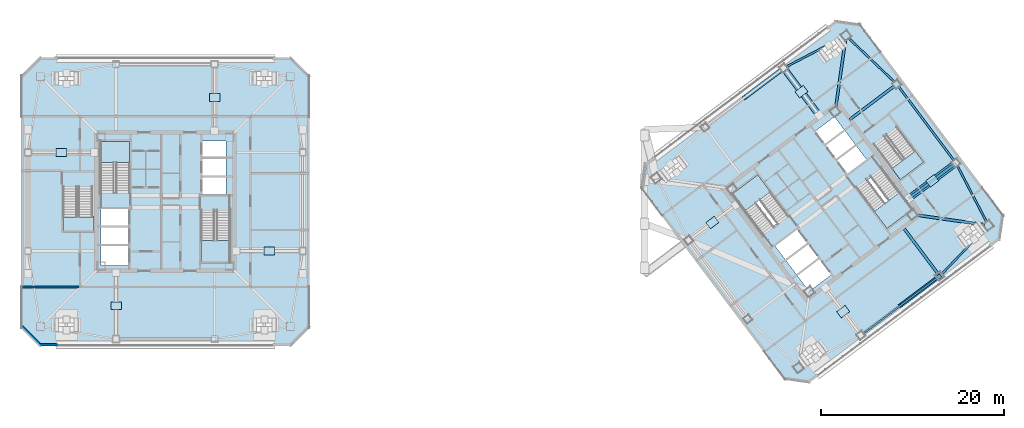
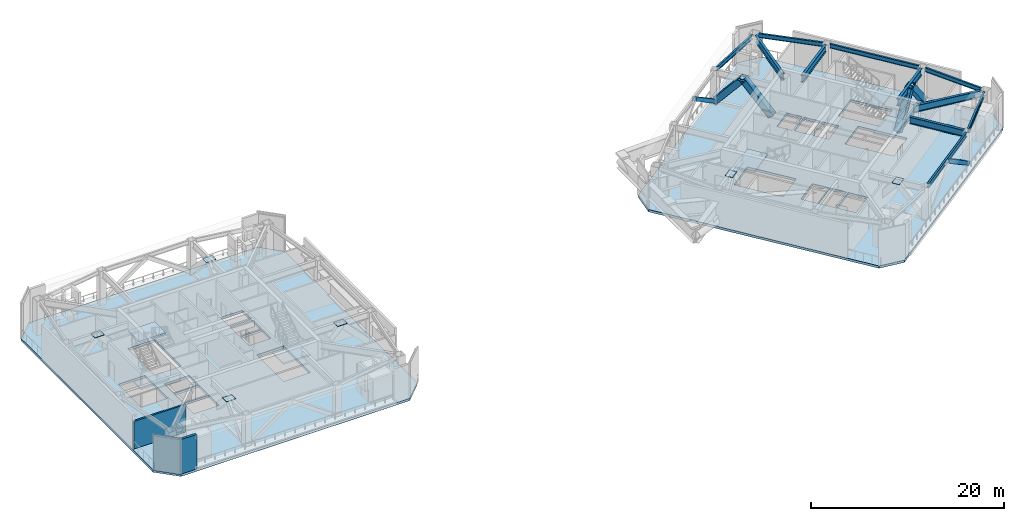
# One storey, part 4 of 15: 11 beams, 8 plates, 8 slabs, 7 members, 3 walls, 6 elements without a shape of their own.
"""IFC4 building model written with IfcOpenShell, lengths in metres."""

from ifc_helpers import new_model, si_unit, direction, frame, frame_2d, origin, origin_2d, place, context, subcontext, project, spatial, polyline, rectangle, hollow_rectangle, i_section, outline, extrude, material, layer, layer_set, material_profile, profile_set, type_object, element, aggregate, save


model = new_model("IFC4")

# Units and contexts
model_context = context("Model", 3, precision=1e-05, world=origin(), true_north=direction((0.0, 1.0)))
body_context = subcontext(model_context, "Body", "Model", "MODEL_VIEW")
ifc_project = project(units=[si_unit("LENGTHUNIT", "METRE"), si_unit("AREAUNIT", "SQUARE_METRE"), si_unit("VOLUMEUNIT", "CUBIC_METRE"), si_unit("PLANEANGLEUNIT", "RADIAN"), si_unit("MASSUNIT", "GRAM", prefix="KILO")], contexts=[model_context])

# Site, building, storey
site_placement = place(None, origin())
site = spatial("IfcSite", under=ifc_project, at=site_placement, CompositionType="ELEMENT")
building_placement = place(site_placement, origin())
building = spatial("IfcBuilding", under=site, at=building_placement, Name="Tashvorn Skyway Center", CompositionType="ELEMENT")
storey_placement = place(building_placement, frame((0.0, 0.0, 246.800048828125)))
storey = spatial("IfcBuildingStorey", under=building, at=storey_placement, Name="L67", CompositionType="ELEMENT", Elevation=246.800048828125)

# Beams
ifc_material_1 = material(Name="Steel ASTM A992 Grade 50", Category="steel")
ifc_material_profile_1 = material_profile(ifc_material_1, i_section(OverallWidth=0.2919921875, OverallDepth=0.85888671875, WebThickness=0.01708984375, FlangeThickness=0.031005859375, at=origin_2d()), Name="W33X169")
ifc_profile_set_1 = profile_set([ifc_material_profile_1], Name="Steel ASTM A992 Grade 50")
beam_type_1 = type_object("IfcBeamType", Name="BM-BEAM-W33X169", PredefinedType="BEAM", material=ifc_profile_set_1)
for number, where, z_axis, x_axis, name in (
    (1, (131.759521484375, 29.462890625, 3.950439453125), (-0.989948195795, 0.141430441004, 0.0), (-0.141430441004, -0.989948195795, 0.0), "Tower 2 L67 Primary Floor Girder MC-SE"),
    (2, (116.537109375, 49.759521484375, 3.950439453125), (-0.141430441004, -0.989948195795, 0.0), (0.989948195795, -0.141430441004, 0.0), "Tower 2 L67 Primary Floor Girder MC-NE"),
):
    element("IfcBeam", number, at=place(storey_placement, frame(where, z_axis=z_axis, x_axis=x_axis)), inside=storey, type_object=beam_type_1, Name=name, PredefinedType="BEAM", context=body_context, shape_type="SweptSolid", body=[
        extrude(i_section(OverallWidth=0.2919921875, OverallDepth=0.85888671875, WebThickness=0.01708984375, FlangeThickness=0.031005859375, at=origin_2d()), origin(), (0.0, 0.0, 1.0), 7.524658203125),
    ])
for number, where, z_axis, x_axis, name in (
    (3, (126.64794921875, 24.135986328125, 3.950439453125), (-0.599980788915, 0.800014407953, 0.0), (-0.800014407953, -0.599980788915, 0.0), "Tower 2 L67 Primary Floor Girder FC-S2"),
    (4, (128.343994140625, 36.008056640625, 3.950439453125), (-0.799980788524, -0.600025614447, 0.0), (0.600025614447, -0.799980788524, 0.0), "Tower 2 L67 Primary Floor Girder FC-E1"),
    (5, (121.864013671875, 44.64794921875, 3.950439453125), (-0.800014407953, -0.599980788915, 0.0), (0.599980788915, -0.800014407953, 0.0), "Tower 2 L67 Primary Floor Girder FC-E2"),
):
    element("IfcBeam", number, at=place(storey_placement, frame(where, z_axis=z_axis, x_axis=x_axis)), inside=storey, type_object=beam_type_1, Name=name, PredefinedType="BEAM", context=body_context, shape_type="SweptSolid", body=[
        extrude(i_section(OverallWidth=0.2919921875, OverallDepth=0.85888671875, WebThickness=0.01708984375, FlangeThickness=0.031005859375, at=origin_2d()), origin(), (0.0, 0.0, 1.0), 6.10009765625),
    ])
ifc_material_profile_2 = material_profile(ifc_material_1, i_section(OverallWidth=0.2109375, OverallDepth=0.5390625, WebThickness=0.01171875, FlangeThickness=0.018798828125, at=origin_2d()), Name="W21X73")
ifc_profile_set_2 = profile_set([ifc_material_profile_2], Name="Steel ASTM A992 Grade 50")
beam_type_2 = type_object("IfcBeamType", Name="BM-SPANDREL-W21X73", PredefinedType="SPANDREL", material=ifc_profile_set_2)
beam_1_placement = place(storey_placement, frame((118.52587890625, 17.58203125, 4.1103515625), z_axis=(0.800008736549, 0.599988351091, 0.0), x_axis=(-0.599988351091, 0.800008736549, 0.0)))
element("IfcBeam", 6, at=beam_1_placement, inside=storey, type_object=beam_type_2, Name="Tower 2 L67 Spandrel Beam 02", PredefinedType="SPANDREL", context=body_context, shape_type="SweptSolid", body=[
    extrude(i_section(OverallWidth=0.2109375, OverallDepth=0.5390625, WebThickness=0.01171875, FlangeThickness=0.018798828125, at=origin_2d()), origin(), (0.0, 0.0, 1.0), 10.06005859375),
])
beam_2_placement = place(storey_placement, frame((127.1259765625, 24.107177734375, 4.1103515625), z_axis=(0.692025461493, 0.721873091786, 0.0), x_axis=(-0.721873091786, 0.692025461493, 0.0)))
element("IfcBeam", 7, at=beam_2_placement, inside=storey, type_object=beam_type_2, Name="Tower 2 L67 Spandrel Beam 03", PredefinedType="SPANDREL", context=body_context, shape_type="SweptSolid", body=[
    extrude(i_section(OverallWidth=0.2109375, OverallDepth=0.5390625, WebThickness=0.01171875, FlangeThickness=0.018798828125, at=origin_2d()), origin(), (0.0, 0.0, 1.0), 6.88720703125),
])
beam_3_placement = place(storey_placement, frame((131.994384765625, 29.794677734375, 4.1103515625), z_axis=(-0.462223120187, 0.886763659136, 0.0), x_axis=(-0.886763659136, -0.462223120187, 0.0)))
element("IfcBeam", 8, at=beam_3_placement, inside=storey, type_object=beam_type_2, Name="Tower 2 L67 Spandrel Beam 04", PredefinedType="SPANDREL", context=body_context, shape_type="SweptSolid", body=[
    extrude(i_section(OverallWidth=0.2109375, OverallDepth=0.5390625, WebThickness=0.01171875, FlangeThickness=0.018798828125, at=origin_2d()), origin(), (0.0, 0.0, 1.0), 6.886962890625),
])
beam_4_placement = place(storey_placement, frame((128.41796875, 36.52587890625, 4.1103515625), z_axis=(-0.599988351091, 0.800008736549, 0.0), x_axis=(-0.800008736549, -0.599988351091, 0.0)))
element("IfcBeam", 9, at=beam_4_placement, inside=storey, type_object=beam_type_2, Name="Tower 2 L67 Spandrel Beam 05", PredefinedType="SPANDREL", context=body_context, shape_type="SweptSolid", body=[
    extrude(i_section(OverallWidth=0.2109375, OverallDepth=0.5390625, WebThickness=0.01171875, FlangeThickness=0.018798828125, at=origin_2d()), origin(), (0.0, 0.0, 1.0), 10.06005859375),
])
beam_5_placement = place(storey_placement, frame((121.892822265625, 45.1259765625, 4.1103515625), z_axis=(-0.721873091786, 0.692025461493, 0.0), x_axis=(-0.692025461493, -0.721873091786, 0.0)))
element("IfcBeam", 10, at=beam_5_placement, inside=storey, type_object=beam_type_2, Name="Tower 2 L67 Spandrel Beam 06", PredefinedType="SPANDREL", context=body_context, shape_type="SweptSolid", body=[
    extrude(i_section(OverallWidth=0.2109375, OverallDepth=0.5390625, WebThickness=0.01171875, FlangeThickness=0.018798828125, at=origin_2d()), origin(), (0.0, 0.0, 1.0), 6.88720703125),
])
beam_6_placement = place(storey_placement, frame((116.205322265625, 49.994384765625, 4.1103515625), z_axis=(-0.886763659136, -0.462223120187, 0.0), x_axis=(0.462223120187, -0.886763659136, 0.0)))
element("IfcBeam", 11, at=beam_6_placement, inside=storey, type_object=beam_type_2, Name="Tower 2 L67 Spandrel Beam 07", PredefinedType="SPANDREL", context=body_context, shape_type="SweptSolid", body=[
    extrude(i_section(OverallWidth=0.2109375, OverallDepth=0.5390625, WebThickness=0.01171875, FlangeThickness=0.018798828125, at=origin_2d()), origin(), (0.0, 0.0, 1.0), 6.886962890625),
])

# Members
ifc_material_2 = material(Name="Steel ASTM A572 Grade 50", Category="steel")
ifc_material_profile_3 = material_profile(ifc_material_2, hollow_rectangle(XDim=0.449951171875, YDim=0.449951171875, WallThickness=0.01611328125, at=origin_2d()), Name="HSS450x450x16")
ifc_profile_set_3 = profile_set([ifc_material_profile_3], Name="Steel ASTM A572 Grade 50")
member_type_1 = type_object("IfcMemberType", Name="MEM-BT-450", PredefinedType="BRACE", material=ifc_profile_set_3)
for number, where, z_axis, x_axis, name in (
    (12, (122.550048828125, 20.60009765625, 4.030029296875), (0.655390259384, 0.491533434998, -0.573461847191), (-0.599992766245, 0.800005425265, 0.0), "Tower 2 L67 Perimeter Belt Truss BS-2"),
    (13, (105.449951171875, 43.39990234375, 4.030029296875), (0.655390259384, 0.491533434998, -0.573461847191), (-0.599992766245, 0.800005425265, 0.0), "Tower 2 L67 Perimeter Belt Truss BN-2"),
):
    element("IfcMember", number, at=place(storey_placement, frame(where, z_axis=z_axis, x_axis=x_axis)), inside=storey, type_object=member_type_1, Name=name, PredefinedType="BRACE", context=body_context, shape_type="SweptSolid", body=[
        extrude(hollow_rectangle(XDim=0.449951171875, YDim=0.449951171875, WallThickness=0.01611328125, at=origin_2d()), origin(), (0.0, 0.0, 1.0), 6.591552734375),
    ])
ifc_material_profile_4 = material_profile(ifc_material_2, hollow_rectangle(XDim=0.35009765625, YDim=0.35009765625, WallThickness=0.01611328125, at=origin_2d()), Name="HSS350x350x16")
ifc_profile_set_4 = profile_set([ifc_material_profile_4], Name="Steel ASTM A572 Grade 50")
member_type_2 = type_object("IfcMemberType", Name="MEM-BT-CHD-350", PredefinedType="CHORD", material=ifc_profile_set_4)
member_placement = place(storey_placement, frame((123.464111328125, 32.347900390625, 0.25), z_axis=(0.799981886838, 0.600024150123, 0.0), x_axis=(-0.600024150123, 0.799981886838, 0.0)))
element("IfcMember", 14, at=member_placement, inside=storey, type_object=member_type_2, Name="Tower 2 L67 Outrigger Bottom Chord E1", PredefinedType="CHORD", context=body_context, shape_type="SweptSolid", body=[
    extrude(hollow_rectangle(XDim=0.35009765625, YDim=0.35009765625, WallThickness=0.01611328125, at=origin_2d()), origin(), (0.0, 0.0, 1.0), 6.469970703125),
])
ifc_material_profile_5 = material_profile(ifc_material_2, hollow_rectangle(XDim=0.699951171875, YDim=0.699951171875, WallThickness=0.028076171875, at=origin_2d()), Name="BOX700x700x28")
ifc_profile_set_5 = profile_set([ifc_material_profile_5], Name="Steel ASTM A572 Grade 50")
member_type_3 = type_object("IfcMemberType", Name="MEM-OB-700", PredefinedType="BRACE", material=ifc_profile_set_5)
for number, where, z_axis, x_axis, name in (
    (15, (113.652099609375, 41.464111328125, 0.25), (-0.390157450122, 0.520144506514, 0.759754471166), (-0.799963773767, -0.600048298606, 0.0), "Tower 2 L67 Outrigger Truss Diagonal N1-1"),
    (16, (111.7109375, 44.052001953125, 4.030029296875), (-0.390115848302, 0.520154464402, -0.759769016258), (-0.8, -0.6, 0.0), "Tower 2 L67 Outrigger Truss Diagonal N1-2"),
    (17, (123.464111328125, 32.347900390625, 0.25), (0.520144506514, 0.390157450122, 0.759754471166), (-0.600048298606, 0.799963773767, 0.0), "Tower 2 L67 Outrigger Truss Diagonal E1-1"),
    (18, (126.052001953125, 34.2890625, 4.030029296875), (0.520154464402, 0.390115848302, -0.759769016258), (-0.6, 0.8, 0.0), "Tower 2 L67 Outrigger Truss Diagonal E1-2"),
):
    element("IfcMember", number, at=place(storey_placement, frame(where, z_axis=z_axis, x_axis=x_axis)), inside=storey, type_object=member_type_3, Name=name, PredefinedType="BRACE", context=body_context, shape_type="SweptSolid", body=[
        extrude(hollow_rectangle(XDim=0.699951171875, YDim=0.699951171875, WallThickness=0.028076171875, at=origin_2d()), origin(), (0.0, 0.0, 1.0), 4.975341796875),
    ])

# Plates
ifc_layer_1 = layer(ifc_material_2, 0.0400390625)
ifc_layer_set_1 = layer_set([ifc_layer_1], Name="Steel ASTM A572 Grade 50")
plate_type = type_object("IfcPlateType", Name="PLT-GUSSET-40", PredefinedType="USERDEFINED", material=ifc_layer_set_1)
for number, where, z_axis, x_axis, name in (
    (19, (47.39990234375, 43.4150390625, 4.010009765625), (0.0, 0.0, 1.0), (1.0, 0.0, 0.0), "Tower 1 L67 Outrigger Node Gusset N1"),
    (20, (36.60009765625, 20.5849609375, 4.010009765625), (0.0, 0.0, 1.0), (1.0, 0.0, 0.0), "Tower 1 L67 Outrigger Node Gusset S1"),
    (21, (53.4150390625, 26.60009765625, 4.010009765625), (0.0, 0.0, 1.0), (1.0, 0.0, 0.0), "Tower 1 L67 Outrigger Node Gusset E1"),
    (22, (30.5849609375, 37.39990234375, 4.010009765625), (0.0, 0.0, 1.0), (1.0, 0.0, 0.0), "Tower 1 L67 Outrigger Node Gusset W1"),
    (23, (111.7109375, 44.052001953125, 4.010009765625), (0.0, 0.0, 1.0), (0.799999996291, 0.600000004945, 0.0), "Tower 2 L67 Outrigger Node Gusset N1"),
    (24, (116.2890625, 19.947998046875, 4.010009765625), (0.0, 0.0, 1.0), (0.799999996291, 0.600000004945, 0.0), "Tower 2 L67 Outrigger Node Gusset S1"),
    (25, (126.052001953125, 34.2890625, 4.010009765625), (0.0, 0.0, 1.0), (0.799999996291, 0.600000004945, 0.0), "Tower 2 L67 Outrigger Node Gusset E1"),
    (26, (101.947998046875, 29.7109375, 4.010009765625), (0.0, 0.0, 1.0), (0.799999996291, 0.600000004945, 0.0), "Tower 2 L67 Outrigger Node Gusset W1"),
):
    element("IfcPlate", number, at=place(storey_placement, frame(where, z_axis=z_axis, x_axis=x_axis)), inside=storey, type_object=plate_type, Name=name, ObjectType="GUSSET PLATE", PredefinedType="USERDEFINED", context=body_context, shape_type="SweptSolid", body=[
        extrude(rectangle(XDim=1.14990234375, YDim=0.85009765625, at=origin_2d()), origin(), (0.0, 0.0, 1.0), 0.0400390625),
    ])

# Slabs
ifc_material_3 = material(Name="Concrete C50/60", Category="concrete")
ifc_layer_2 = layer(ifc_material_3, 0.300048828125)
ifc_layer_set_2 = layer_set([ifc_layer_2], Name="Concrete C50/60")
slab_type_1 = type_object("IfcSlabType", Name="SLAB-FLR-300", PredefinedType="FLOOR", material=ifc_layer_set_2)
slab_1_placement = place(storey_placement, frame((0.0, 0.0, -0.300048828125)))
element("IfcSlab", 27, at=slab_1_placement, inside=storey, type_object=slab_type_1, Name="Tower 1 L67 Composite Floor Slab", PredefinedType="FLOOR", context=body_context, shape_type="SweptSolid", body=[
    extrude(outline(polyline([(28.300048828125, 16.199951171875), (55.699951171875, 16.199951171875), (57.800048828125, 18.300048828125), (57.800048828125, 45.699951171875), (55.699951171875, 47.800048828125), (28.300048828125, 47.800048828125), (26.199951171875, 45.699951171875), (26.199951171875, 18.300048828125), (28.300048828125, 16.199951171875)]), holes=[polyline([(38.10009765625, 33.080078125), (38.10009765625, 38.60009765625), (34.89990234375, 38.60009765625), (34.89990234375, 33.080078125), (38.10009765625, 33.080078125)]), polyline([(45.89990234375, 30.919921875), (45.89990234375, 25.39990234375), (49.10009765625, 25.39990234375), (49.10009765625, 30.919921875), (45.89990234375, 30.919921875)]), polyline([(30.800048828125, 33.52001953125), (30.800048828125, 28.800048828125), (34.0, 28.800048828125), (34.0, 33.52001953125), (30.800048828125, 33.52001953125)]), polyline([(34.949951171875, 29.35009765625), (37.949951171875, 29.35009765625), (37.949951171875, 31.199951171875), (34.949951171875, 31.199951171875), (34.949951171875, 29.35009765625)]), polyline([(34.949951171875, 27.35009765625), (37.949951171875, 27.35009765625), (37.949951171875, 29.199951171875), (34.949951171875, 29.199951171875), (34.949951171875, 27.35009765625)]), polyline([(34.949951171875, 25.0), (37.949951171875, 25.0), (37.949951171875, 27.14990234375), (34.949951171875, 27.14990234375), (34.949951171875, 25.0)]), polyline([(46.050048828125, 32.800048828125), (48.64990234375, 32.800048828125), (48.64990234375, 34.64990234375), (46.050048828125, 34.64990234375), (46.050048828125, 32.800048828125)]), polyline([(46.050048828125, 34.85009765625), (48.64990234375, 34.85009765625), (48.64990234375, 36.699951171875), (46.050048828125, 36.699951171875), (46.050048828125, 34.85009765625)]), polyline([(46.050048828125, 36.89990234375), (48.64990234375, 36.89990234375), (48.64990234375, 38.64990234375), (46.050048828125, 38.64990234375), (46.050048828125, 36.89990234375)])]), origin(), (0.0, 0.0, 1.0), 0.300048828125),
])
slab_2_placement = place(storey_placement, frame((0.0, 0.0, -0.300048828125)))
element("IfcSlab", 28, at=slab_2_placement, inside=storey, type_object=slab_type_1, Name="Tower 2 L67 Composite Floor Slab", PredefinedType="FLOOR", context=body_context, shape_type="SweptSolid", body=[
    extrude(outline(polyline([(112.60009765625, 12.199951171875), (133.39990234375, 27.800048828125), (133.800048828125, 30.60009765625), (118.199951171875, 51.39990234375), (115.39990234375, 51.800048828125), (94.60009765625, 36.199951171875), (94.199951171875, 33.39990234375), (109.800048828125, 12.60009765625), (112.60009765625, 12.199951171875)]), holes=[polyline([(110.23193359375, 30.52392578125), (106.919921875, 34.93994140625), (104.135986328125, 32.85205078125), (107.447998046875, 28.43603515625), (110.23193359375, 30.52392578125)]), polyline([(117.76806640625, 33.47607421875), (121.080078125, 29.06005859375), (123.864013671875, 31.14794921875), (120.552001953125, 35.56396484375), (117.76806640625, 33.47607421875)]), polyline([(119.7119140625, 38.18408203125), (122.5439453125, 34.407958984375), (125.10400390625, 36.327880859375), (122.27197265625, 40.10400390625), (119.7119140625, 38.18408203125)]), polyline([(109.949951171875, 25.64990234375), (112.35009765625, 27.449951171875), (111.239990234375, 28.929931640625), (108.840087890625, 27.1298828125), (109.949951171875, 25.64990234375)]), polyline([(111.14990234375, 24.050048828125), (113.550048828125, 25.85009765625), (112.43994140625, 27.330078125), (110.0400390625, 25.530029296875), (111.14990234375, 24.050048828125)]), polyline([(112.56005859375, 22.169921875), (114.9599609375, 23.969970703125), (113.669921875, 25.68994140625), (111.27001953125, 23.889892578125), (112.56005859375, 22.169921875)]), polyline([(116.760009765625, 35.070068359375), (118.840087890625, 36.6298828125), (117.72998046875, 38.110107421875), (115.64990234375, 36.550048828125), (116.760009765625, 35.070068359375)]), polyline([(115.530029296875, 36.7099609375), (117.610107421875, 38.27001953125), (116.5, 39.75), (114.419921875, 38.18994140625), (115.530029296875, 36.7099609375)]), polyline([(114.300048828125, 38.35009765625), (116.3798828125, 39.909912109375), (115.330078125, 41.31005859375), (113.25, 39.75), (114.300048828125, 38.35009765625)])]), origin(), (0.0, 0.0, 1.0), 0.300048828125),
])

# Stair, slab
ifc_material_4 = material(Name="Concrete C40/50", Category="concrete")
stair_type = type_object("IfcStairType", Name="STAIR-CORE-1500", PredefinedType="HALF_TURN_STAIR", material=ifc_material_4)
stair_1_placement = place(storey_placement, origin())
stair_1 = element("IfcStair", 29, at=stair_1_placement, inside=storey, type_object=stair_type, Name="L67 Tower 1 Exit Stair 1", PredefinedType="HALF_TURN_STAIR")
ifc_layer_3 = layer(ifc_material_4, 0.199951171875)
ifc_layer_set_3 = layer_set([ifc_layer_3], Name="Concrete C40/50")
slab_type_2 = type_object("IfcSlabType", Name="SLAB-LAND-200", PredefinedType="LANDING", material=ifc_layer_set_3)
slab_3_placement = place(storey_placement, frame((0.0, 0.0, 2.099853515625)))
slab_3 = element("IfcSlab", 30, at=slab_3_placement, type_object=slab_type_2, Name="ST-T1-1 landing 1", PredefinedType="LANDING", context=body_context, shape_type="SweptSolid", body=[
    extrude(outline(polyline([(38.10009765625, 36.280029296875), (38.10009765625, 38.60009765625), (34.89990234375, 38.60009765625), (34.89990234375, 36.280029296875), (38.10009765625, 36.280029296875)])), origin(), (0.0, 0.0, 1.0), 0.2001953125),
])
aggregate(stair_1, [slab_3])

stair_2_placement = place(storey_placement, origin())
stair_2 = element("IfcStair", 31, at=stair_2_placement, inside=storey, type_object=stair_type, Name="L67 Tower 1 Exit Stair 2", PredefinedType="HALF_TURN_STAIR")
slab_4_placement = place(storey_placement, frame((0.0, 0.0, 2.099853515625)))
slab_4 = element("IfcSlab", 32, at=slab_4_placement, type_object=slab_type_2, Name="ST-T1-2 landing 1", PredefinedType="LANDING", context=body_context, shape_type="SweptSolid", body=[
    extrude(outline(polyline([(45.89990234375, 27.719970703125), (45.89990234375, 25.39990234375), (49.10009765625, 25.39990234375), (49.10009765625, 27.719970703125), (45.89990234375, 27.719970703125)])), origin(), (0.0, 0.0, 1.0), 0.2001953125),
])
aggregate(stair_2, [slab_4])

stair_3_placement = place(storey_placement, origin())
stair_3 = element("IfcStair", 33, at=stair_3_placement, inside=storey, type_object=stair_type, Name="L67 Tower 2 Exit Stair 1", PredefinedType="HALF_TURN_STAIR")
slab_5_placement = place(storey_placement, frame((0.0, 0.0, 2.099853515625)))
slab_5 = element("IfcSlab", 34, at=slab_5_placement, type_object=slab_type_2, Name="ST-T2-1 landing 1", PredefinedType="LANDING", context=body_context, shape_type="SweptSolid", body=[
    extrude(outline(polyline([(108.31689453125, 33.07763671875), (106.919921875, 34.93994140625), (104.135986328125, 32.85205078125), (105.53271484375, 30.989501953125), (108.31689453125, 33.07763671875)])), origin(), (0.0, 0.0, 1.0), 0.2001953125),
])
aggregate(stair_3, [slab_5])

stair_4_placement = place(storey_placement, origin())
stair_4 = element("IfcStair", 35, at=stair_4_placement, inside=storey, type_object=stair_type, Name="L67 Tower 2 Exit Stair 2", PredefinedType="HALF_TURN_STAIR")
slab_6_placement = place(storey_placement, frame((0.0, 0.0, 2.099853515625)))
slab_6 = element("IfcSlab", 36, at=slab_6_placement, type_object=slab_type_2, Name="ST-T2-2 landing 1", PredefinedType="LANDING", context=body_context, shape_type="SweptSolid", body=[
    extrude(outline(polyline([(119.68310546875, 30.92236328125), (121.080078125, 29.06005859375), (123.864013671875, 31.14794921875), (122.46728515625, 33.010498046875), (119.68310546875, 30.92236328125)])), origin(), (0.0, 0.0, 1.0), 0.2001953125),
])
aggregate(stair_4, [slab_6])

stair_5_placement = place(storey_placement, origin())
stair_5 = element("IfcStair", 37, at=stair_5_placement, inside=storey, type_object=stair_type, Name="L67 Tower 1 Exit Stair 3", PredefinedType="HALF_TURN_STAIR")
slab_7_placement = place(storey_placement, frame((0.0, 0.0, 2.099853515625)))
slab_7 = element("IfcSlab", 38, at=slab_7_placement, type_object=slab_type_2, Name="ST-T1-3 landing 1", PredefinedType="LANDING", context=body_context, shape_type="SweptSolid", body=[
    extrude(outline(polyline([(30.800048828125, 30.320068359375), (30.800048828125, 28.800048828125), (34.199951171875, 28.800048828125), (34.199951171875, 30.320068359375), (30.800048828125, 30.320068359375)])), origin(), (0.0, 0.0, 1.0), 0.2001953125),
])
aggregate(stair_5, [slab_7])

stair_6_placement = place(storey_placement, origin())
stair_6 = element("IfcStair", 39, at=stair_6_placement, inside=storey, type_object=stair_type, Name="L67 Tower 2 Exit Stair 3", PredefinedType="HALF_TURN_STAIR")
slab_8_placement = place(storey_placement, frame((0.0, 0.0, 2.099853515625)))
slab_8 = element("IfcSlab", 40, at=slab_8_placement, type_object=slab_type_2, Name="ST-T2-3 landing 1", PredefinedType="LANDING", context=body_context, shape_type="SweptSolid", body=[
    extrude(outline(polyline([(121.627197265625, 35.63037109375), (122.5439453125, 34.407958984375), (125.10400390625, 36.327880859375), (124.187255859375, 37.55029296875), (121.627197265625, 35.63037109375)])), origin(), (0.0, 0.0, 1.0), 0.2001953125),
])
aggregate(stair_6, [slab_8])

# Walls
ifc_material_5 = material(Name="Precast concrete C40/50", Category="concrete")
ifc_layer_4 = layer(ifc_material_5, 0.280029296875)
ifc_layer_set_4 = layer_set([ifc_layer_4], Name="Precast concrete C40/50")
wall_type_1 = type_object("IfcWallType", Name="WALL-EXT-280", PredefinedType="SOLIDWALL", material=ifc_layer_set_4)
wall_1_placement = place(storey_placement, frame((30.199951171875, 16.320068359375, 0.0), z_axis=(0.0, 0.0, 1.0), x_axis=(-1.0, 0.0, 0.0)))
element("IfcWall", 41, at=wall_1_placement, inside=storey, type_object=wall_type_1, Name="Tower 1 L67 South Spandrel Pier R", PredefinedType="SOLIDWALL", context=body_context, shape_type="SweptSolid", body=[
    extrude(rectangle(XDim=1.97998046875, YDim=0.280029296875, at=frame_2d((0.989990234375, 0.0))), origin(), (0.0, 0.0, 1.0), 4.3798828125),
])
wall_2_placement = place(storey_placement, frame((28.300048828125, 16.300048828125, 0.0), z_axis=(0.0, 0.0, 1.0), x_axis=(-0.707106781187, 0.707106781187, 0.0)))
element("IfcWall", 42, at=wall_2_placement, inside=storey, type_object=wall_type_1, Name="Tower 1 L67 SW Precast Chamfer Wall", PredefinedType="SOLIDWALL", context=body_context, shape_type="SweptSolid", body=[
    extrude(rectangle(XDim=2.828369140625, YDim=0.280029296875, at=frame_2d((1.4140625, 0.0))), origin(), (0.0, 0.0, 1.0), 4.3798828125),
])
ifc_layer_5 = layer(ifc_material_4, 0.199951171875)
ifc_layer_set_5 = layer_set([ifc_layer_5], Name="Concrete C40/50")
wall_type_2 = type_object("IfcWallType", Name="WALL-SHAFT-200", PredefinedType="SOLIDWALL", material=ifc_layer_set_5)
wall_3_placement = place(storey_placement, frame((26.320068359375, 22.64990234375, 0.0), z_axis=(0.0, 0.0, 1.0), x_axis=(1.0, 0.0, 0.0)))
element("IfcWall", 43, at=wall_3_placement, inside=storey, type_object=wall_type_2, Name="Tower 1 L67 Plant Wing Wall WS", PredefinedType="SOLIDWALL", context=body_context, shape_type="SweptSolid", body=[
    extrude(rectangle(XDim=6.2099609375, YDim=0.199951171875, at=frame_2d((3.10498046875, 0.0))), origin(), (0.0, 0.0, 1.0), 3.490966796875),
])

save(model, "model.ifc")
